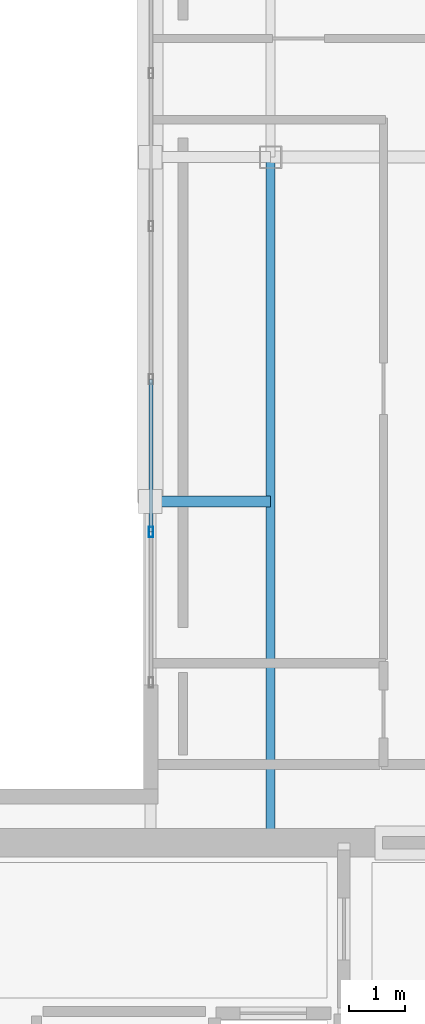
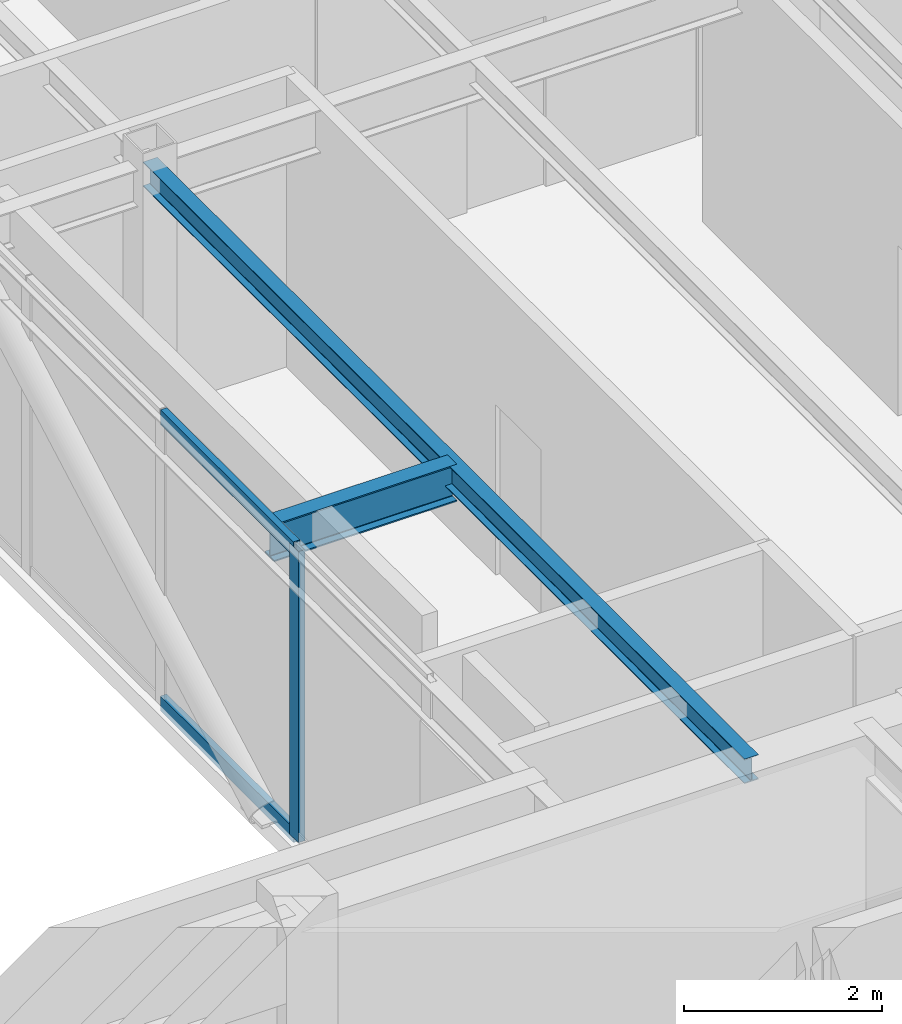
# One storey, part 10 of 19: 3 members, 2 beams, 1 element without a shape of its own.
"""IFC4 building model written with IfcOpenShell, lengths in metres."""

from ifc_helpers import new_model, si_unit, direction, frame, origin, origin_2d, place, context, subcontext, project, spatial, hollow_rectangle, i_section, extrude, material, material_profile, profile_set, type_object, element, aggregate, save


model = new_model("IFC4")

# Units and contexts
model_context = context("Model", 3, precision=1e-05, world=origin(), true_north=direction((0.0, 1.0)))
body_context = subcontext(model_context, "Body", "Model", "MODEL_VIEW")
ifc_project = project(units=[si_unit("LENGTHUNIT", "METRE"), si_unit("AREAUNIT", "SQUARE_METRE"), si_unit("VOLUMEUNIT", "CUBIC_METRE"), si_unit("PLANEANGLEUNIT", "RADIAN"), si_unit("MASSUNIT", "GRAM", prefix="KILO")], contexts=[model_context])

# Site, building, storey
site_placement = place(None, origin())
site = spatial("IfcSite", under=ifc_project, at=site_placement, CompositionType="ELEMENT")
building_placement = place(site_placement, origin())
building = spatial("IfcBuilding", under=site, at=building_placement, Name="Ventersveld Concourse Tower", CompositionType="ELEMENT")
storey_placement = place(building_placement, frame((0.0, 0.0, 345.199951171875)))
storey = spatial("IfcBuildingStorey", under=building, at=storey_placement, Name="L85", CompositionType="ELEMENT", Elevation=345.199951171875)

# Beam
ifc_material_1 = material(Name="Structural steel S355J2", Category="steel")
ifc_material_profile_1 = material_profile(ifc_material_1, i_section(OverallWidth=0.1650390625, OverallDepth=0.303466796875, WebThickness=0.006103515625, FlangeThickness=0.01025390625, FilletRadius=0.0087890625, at=origin_2d()), Name="UB 305x165x40")
ifc_profile_set_1 = profile_set([ifc_material_profile_1], Name="Structural steel S355J2")
beam_type_1 = type_object("IfcBeamType", Name="BM-UB305", PredefinedType="BEAM", material=ifc_profile_set_1)
beam_1_placement = place(storey_placement, frame((36.25, 11.449951171875, 3.438232421875), z_axis=(0.0, 1.0, 0.0), x_axis=(-1.0, 0.0, 0.0)))
element("IfcBeam", 1, at=beam_1_placement, inside=storey, type_object=beam_type_1, Name="L85 N-S Composite Floor Beam South X=36.25", PredefinedType="BEAM", context=body_context, shape_type="SweptSolid", body=[
    extrude(i_section(OverallWidth=0.1650390625, OverallDepth=0.303466796875, WebThickness=0.006103515625, FlangeThickness=0.01025390625, FilletRadius=0.0087890625, at=origin_2d()), origin(), (0.0, 0.0, 1.0), 12.150146484375),
])

# Curtain wall, members
ifc_material_2 = material(Name="Anodised aluminium EN AW-6063-T6", Category="aluminium")
curtain_wall_type = type_object("IfcCurtainWallType", Name="CW-WP-5", PredefinedType="NOTDEFINED", material=ifc_material_2)
curtain_wall_placement = place(storey_placement, origin())
curtain_wall = element("IfcCurtainWall", 2, at=curtain_wall_placement, inside=storey, type_object=curtain_wall_type, Name="L85 L85 Wind Portal Aerodynamic Cheek Curtain Wall", PredefinedType="NOTDEFINED")
ifc_material_profile_2 = material_profile(ifc_material_2, hollow_rectangle(XDim=0.074951171875, YDim=0.179931640625, WallThickness=0.00390625, at=origin_2d()), Name="ALU 180x75x4")
ifc_profile_set_2 = profile_set([ifc_material_profile_2], Name="Anodised aluminium EN AW-6063-T6")
member_type_1 = type_object("IfcMemberType", Name="CWM-180x75", PredefinedType="MULLION", material=ifc_profile_set_2)
member_1_placement = place(storey_placement, frame((34.1298828125, 16.958740234375, 0.0), z_axis=(0.0, 0.0, 1.0), x_axis=(1.0, 0.0, 0.0)))
member_1 = element("IfcMember", 3, at=member_1_placement, type_object=member_type_1, Name="CW-L85-WP-E Mullion 02", PredefinedType="MULLION", context=body_context, shape_type="SweptSolid", body=[
    extrude(hollow_rectangle(XDim=0.074951171875, YDim=0.179931640625, WallThickness=0.00390625, at=origin_2d()), origin(), (0.0, 0.0, 1.0), 3.590087890625),
])
ifc_material_profile_3 = material_profile(ifc_material_2, hollow_rectangle(XDim=0.074951171875, YDim=0.179931640625, WallThickness=0.00390625, at=origin_2d()), Name="ALU 180x75x4")
ifc_profile_set_3 = profile_set([ifc_material_profile_3], Name="Anodised aluminium EN AW-6063-T6")
member_type_2 = type_object("IfcMemberType", Name="CWT-180x75", PredefinedType="USERDEFINED", material=ifc_profile_set_3)
member_2_placement = place(storey_placement, frame((34.1298828125, 16.96875, 0.030029296875), z_axis=(0.0, 1.0, 0.0), x_axis=(-1.0, 0.0, 0.0)))
member_2 = element("IfcMember", 4, at=member_2_placement, type_object=member_type_2, Name="CW-L85-WP-E Transom 1-02", ObjectType="TRANSOM", PredefinedType="USERDEFINED", context=body_context, shape_type="SweptSolid", body=[
    extrude(hollow_rectangle(XDim=0.074951171875, YDim=0.179931640625, WallThickness=0.00390625, at=origin_2d()), origin(), (0.0, 0.0, 1.0), 2.688720703125),
])
member_3_placement = place(storey_placement, frame((34.1298828125, 16.96875, 3.56005859375), z_axis=(0.0, 1.0, 0.0), x_axis=(-1.0, 0.0, 0.0)))
member_3 = element("IfcMember", 5, at=member_3_placement, type_object=member_type_2, Name="CW-L85-WP-E Transom 2-02", ObjectType="TRANSOM", PredefinedType="USERDEFINED", context=body_context, shape_type="SweptSolid", body=[
    extrude(hollow_rectangle(XDim=0.074951171875, YDim=0.179931640625, WallThickness=0.00390625, at=origin_2d()), origin(), (0.0, 0.0, 1.0), 2.688720703125),
])
aggregate(curtain_wall, [member_1, member_2, member_3])

# Beam
ifc_material_profile_4 = material_profile(ifc_material_1, i_section(OverallWidth=0.19140625, OverallDepth=0.4599609375, WebThickness=0.010009765625, FlangeThickness=0.01611328125, FilletRadius=0.01025390625, at=origin_2d()), Name="UB 457x191x82")
ifc_profile_set_4 = profile_set([ifc_material_profile_4], Name="Structural steel S355J2")
beam_type_2 = type_object("IfcBeamType", Name="SPD-UB457", PredefinedType="SPANDREL", material=ifc_profile_set_4)
beam_2_placement = place(storey_placement, frame((34.1201171875, 17.5, 3.360107421875), z_axis=(1.0, 0.0, 0.0), x_axis=(0.0, 1.0, 0.0)))
element("IfcBeam", 6, at=beam_2_placement, inside=storey, type_object=beam_type_2, Name="L85 Wind Portal East Tie YM", PredefinedType="SPANDREL", context=body_context, shape_type="SweptSolid", body=[
    extrude(i_section(OverallWidth=0.19140625, OverallDepth=0.4599609375, WebThickness=0.010009765625, FlangeThickness=0.01611328125, FilletRadius=0.01025390625, at=origin_2d()), origin(), (0.0, 0.0, 1.0), 2.1298828125),
])

save(model, "model.ifc")
